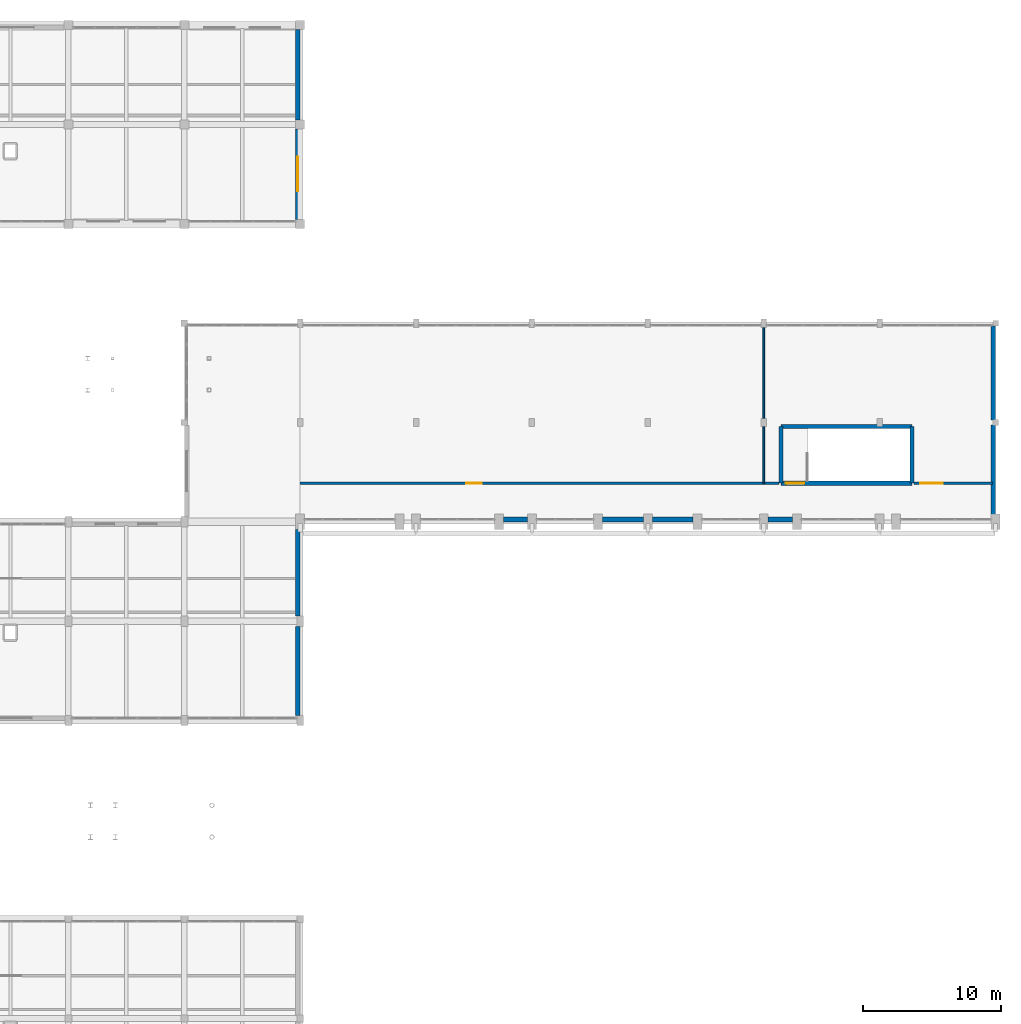
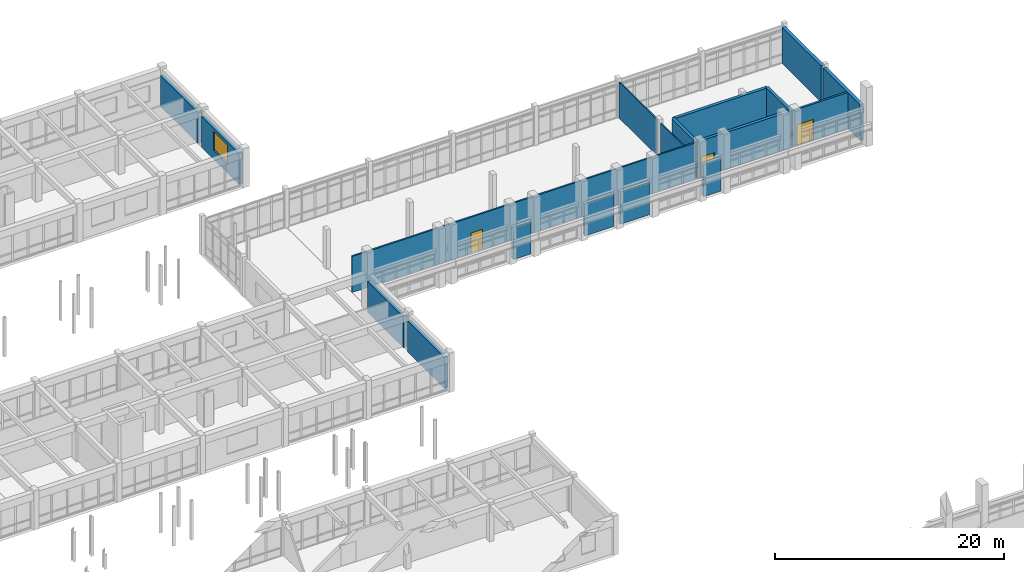
# One storey, part 137 of 147: 18 walls, 3 doors, 1 window, 4 openings.
"""IFC4 building model written with IfcOpenShell, lengths in metres."""

from ifc_helpers import new_model, si_unit, direction, frame, frame_2d, origin, place, context, subcontext, project, spatial, rectangle, extrude, material, layer, layer_set, type_object, element, fill, save


model = new_model("IFC4")

# Units and contexts
model_context = context("Model", 3, precision=1e-05, world=origin(), true_north=direction((0.0, 1.0)))
body_context = subcontext(model_context, "Body", "Model", "MODEL_VIEW")
ifc_project = project(units=[si_unit("LENGTHUNIT", "METRE"), si_unit("AREAUNIT", "SQUARE_METRE"), si_unit("VOLUMEUNIT", "CUBIC_METRE"), si_unit("PLANEANGLEUNIT", "RADIAN"), si_unit("MASSUNIT", "GRAM", prefix="KILO")], contexts=[model_context])

# Site, building, storey
site_placement = place(None, origin())
site = spatial("IfcSite", under=ifc_project, at=site_placement, CompositionType="ELEMENT")
building_placement = place(site_placement, origin())
building = spatial("IfcBuilding", under=site, at=building_placement, Name="Malvenik Polytechnic", CompositionType="ELEMENT")
storey_placement = place(building_placement, frame((0.0, 0.0, 5.10009765625)))
storey = spatial("IfcBuildingStorey", under=building, at=storey_placement, Name="L01", CompositionType="ELEMENT", Elevation=5.10009765625)

# Walls
ifc_material_1 = material(Name="Concrete C35/45", Category="concrete")
ifc_layer_1 = layer(ifc_material_1, 0.300048828125)
ifc_layer_set_1 = layer_set([ifc_layer_1], Name="Concrete C35/45")
wall_type_1 = type_object("IfcWallType", Name="ARC-CW-S300", PredefinedType="SHEAR", material=ifc_layer_set_1)
wall_1_placement = place(storey_placement, frame((169.25, 96.39990234375, 0.0), z_axis=(0.0, 0.0, 1.0), x_axis=(0.0, 1.0, 0.0)))
element("IfcWall", 1, at=wall_1_placement, inside=storey, type_object=wall_type_1, Name="Stair Core Shear Wall ST-12 L01 NEAR", PredefinedType="SHEAR", context=body_context, shape_type="SweptSolid", body=[
    extrude(rectangle(XDim=4.10009765625, YDim=0.300048828125, at=frame_2d((2.050048828125, 0.0))), origin(), (0.0, 0.0, 1.0), 3.919921875),
])
wall_2_placement = place(storey_placement, frame((169.25, 100.5, 0.0), z_axis=(0.0, 0.0, 1.0), x_axis=(1.0, 0.0, 0.0)))
element("IfcWall", 2, at=wall_2_placement, inside=storey, type_object=wall_type_1, Name="Stair Core Shear Wall ST-12 L01 RGHT", PredefinedType="SHEAR", context=body_context, shape_type="SweptSolid", body=[
    extrude(rectangle(XDim=9.5, YDim=0.300048828125, at=frame_2d((4.75, 0.0))), origin(), (0.0, 0.0, 1.0), 3.919921875),
])
wall_3_placement = place(storey_placement, frame((178.75, 100.5, 0.0), z_axis=(0.0, 0.0, 1.0), x_axis=(0.0, -1.0, 0.0)))
element("IfcWall", 3, at=wall_3_placement, inside=storey, type_object=wall_type_1, Name="Stair Core Shear Wall ST-12 L01 FAR", PredefinedType="SHEAR", context=body_context, shape_type="SweptSolid", body=[
    extrude(rectangle(XDim=4.10009765625, YDim=0.300048828125, at=frame_2d((2.050048828125, 0.0))), origin(), (0.0, 0.0, 1.0), 3.919921875),
])

# Wall, opening, door
wall_4_placement = place(storey_placement, frame((178.75, 96.39990234375, 0.0), z_axis=(0.0, 0.0, 1.0), x_axis=(-1.0, 0.0, 0.0)))
wall_4 = element("IfcWall", 4, at=wall_4_placement, inside=storey, type_object=wall_type_1, Name="Stair Core Shear Wall ST-12 L01 LEFT", PredefinedType="SHEAR", context=body_context, shape_type="SweptSolid", body=[
    extrude(rectangle(XDim=9.5, YDim=0.300048828125, at=frame_2d((4.75, 0.0))), origin(), (0.0, 0.0, 1.0), 3.919921875),
])
opening_1_placement = place(wall_4_placement, frame((7.800048828125, 0.0, 0.0)))
opening_1 = element("IfcOpeningElement", 5, at=opening_1_placement, cuts=wall_4, Name="Opening SD-01", PredefinedType="OPENING", context=body_context, shape_type="SweptSolid", body=[
    extrude(rectangle(XDim=1.35009765625, YDim=2.199951171875, at=frame_2d((0.675048828125, 1.10009765625))), frame((0.0, 0.16015625, 0.0), z_axis=(0.0, -1.0, 0.0), x_axis=(1.0, 0.0, 0.0)), (0.0, 0.0, 1.0), 0.320068359375),
])
ifc_material_2 = material(Name="Fire-rated steel stair enclosure door", Category="steel")
door_type_1 = type_object("IfcDoorType", Name="ARC-IDR-SD-01", OperationType="NOTDEFINED", PredefinedType="DOOR", material=ifc_material_2)
door_1_placement = place(opening_1_placement, origin())
door_1 = element("IfcDoor", 6, at=door_1_placement, inside=storey, type_object=door_type_1, Name="Fire Stair Door ST-12 L01", OperationType="SINGLE_SWING_RIGHT", OverallHeight=2.199951171875, OverallWidth=1.35009765625, PredefinedType="DOOR", context=body_context, shape_type="SweptSolid", body=[
    extrude(rectangle(XDim=1.35009765625, YDim=2.199951171875, at=frame_2d((0.675048828125, 1.10009765625))), frame((0.0, 0.02490234375, 0.0), z_axis=(0.0, -1.0, 0.0), x_axis=(1.0, 0.0, 0.0)), (0.0, 0.0, 1.0), 0.050048828125),
])
fill(opening_1, door_1)

# Wall
ifc_material_3 = material(Name="Concrete C30/37", Category="concrete")
ifc_layer_2 = layer(ifc_material_3, 0.340087890625)
ifc_layer_set_2 = layer_set([ifc_layer_2], Name="Concrete C30/37")
wall_type_2 = type_object("IfcWallType", Name="ARC-EW-340", PredefinedType="SOLIDWALL", material=ifc_layer_set_2)
wall_5_placement = place(storey_placement, frame((134.22998046875, 129.277099609375, 0.0), z_axis=(0.0, 0.0, 1.0), x_axis=(0.0, -1.0, 0.0)))
element("IfcWall", 7, at=wall_5_placement, inside=storey, type_object=wall_type_2, Name="External Facade Wall EW-02 L01 #198", PredefinedType="SOLIDWALL", context=body_context, shape_type="SweptSolid", body=[
    extrude(rectangle(XDim=6.55419921875, YDim=0.340087890625, at=frame_2d((3.277099609375, 0.0))), origin(), (0.0, 0.0, 1.0), 3.309814453125),
])

# Wall, opening, window
wall_6_placement = place(storey_placement, frame((134.22998046875, 122.076904296875, 0.0), z_axis=(0.0, 0.0, 1.0), x_axis=(0.0, -1.0, 0.0)))
wall_6 = element("IfcWall", 8, at=wall_6_placement, inside=storey, type_object=wall_type_2, Name="External Facade Wall EW-02 L01 #199", PredefinedType="SOLIDWALL", context=body_context, shape_type="SweptSolid", body=[
    extrude(rectangle(XDim=6.553955078125, YDim=0.340087890625, at=frame_2d((3.27685546875, 0.0))), origin(), (0.0, 0.0, 1.0), 3.309814453125),
])
opening_2_placement = place(wall_6_placement, frame((2.027099609375, 0.0, 0.949951171875)))
opening_2 = element("IfcOpeningElement", 9, at=opening_2_placement, cuts=wall_6, Name="Opening W-21", PredefinedType="OPENING", context=body_context, shape_type="SweptSolid", body=[
    extrude(rectangle(XDim=2.5, YDim=2.050048828125, at=frame_2d((1.25, 1.02490234375))), frame((0.0, 0.18017578125, 0.0), z_axis=(0.0, -1.0, 0.0), x_axis=(1.0, 0.0, 0.0)), (0.0, 0.0, 1.0), 0.360107421875),
])
ifc_material_4 = material(Name="Thermally broken aluminium frame with low-E double glazing", Category="aluminium")
window_type = type_object("IfcWindowType", Name="ARC-WIN-W-21", PartitioningType="SINGLE_PANEL", PredefinedType="WINDOW", material=ifc_material_4)
window_placement = place(opening_2_placement, origin())
window = element("IfcWindow", 10, at=window_placement, inside=storey, type_object=window_type, Name="Punched Window W-21 L01 #170", OverallHeight=2.050048828125, OverallWidth=2.5, PartitioningType="SINGLE_PANEL", PredefinedType="WINDOW", context=body_context, shape_type="SweptSolid", body=[
    extrude(rectangle(XDim=2.5, YDim=2.050048828125, at=frame_2d((1.25, 1.02490234375))), frame((0.0, 0.030029296875, 0.0), z_axis=(0.0, -1.0, 0.0), x_axis=(1.0, 0.0, 0.0)), (0.0, 0.0, 1.0), 0.06005859375),
])
fill(opening_2, window)

# Walls
wall_7_placement = place(storey_placement, frame((184.6298828125, 107.802001953125, 0.0), z_axis=(0.0, 0.0, 1.0), x_axis=(0.0, -1.0, 0.0)))
element("IfcWall", 11, at=wall_7_placement, inside=storey, type_object=wall_type_2, Name="External Facade Wall EW-02 L01 #205", PredefinedType="SOLIDWALL", context=body_context, shape_type="SweptSolid", body=[
    extrude(rectangle(XDim=6.803955078125, YDim=0.340087890625, at=frame_2d((3.40185546875, 0.0))), origin(), (0.0, 0.0, 1.0), 3.85986328125),
])
wall_8_placement = place(storey_placement, frame((184.6298828125, 100.60205078125, 0.0), z_axis=(0.0, 0.0, 1.0), x_axis=(0.0, -1.0, 0.0)))
element("IfcWall", 12, at=wall_8_placement, inside=storey, type_object=wall_type_2, Name="External Facade Wall EW-02 L01 #206", PredefinedType="SOLIDWALL", context=body_context, shape_type="SweptSolid", body=[
    extrude(rectangle(XDim=6.4541015625, YDim=0.340087890625, at=frame_2d((3.22705078125, 0.0))), origin(), (0.0, 0.0, 1.0), 3.85986328125),
])
wall_9_placement = place(storey_placement, frame((170.076904296875, 93.77001953125, 0.0), z_axis=(0.0, 0.0, 1.0), x_axis=(-1.0, 0.0, 0.0)))
element("IfcWall", 13, at=wall_9_placement, inside=storey, type_object=wall_type_2, Name="External Facade Wall EW-02 L01 #207", PredefinedType="SOLIDWALL", context=body_context, shape_type="SweptSolid", body=[
    extrude(rectangle(XDim=1.75390625, YDim=0.340087890625, at=frame_2d((0.876953125, 0.0))), origin(), (0.0, 0.0, 1.0), 3.447998046875),
])
wall_10_placement = place(storey_placement, frame((162.876953125, 93.77001953125, 0.0), z_axis=(0.0, 0.0, 1.0), x_axis=(-1.0, 0.0, 0.0)))
element("IfcWall", 14, at=wall_10_placement, inside=storey, type_object=wall_type_2, Name="External Facade Wall EW-02 L01 #208", PredefinedType="SOLIDWALL", context=body_context, shape_type="SweptSolid", body=[
    extrude(rectangle(XDim=2.953857421875, YDim=0.340087890625, at=frame_2d((1.47705078125, 0.0))), origin(), (0.0, 0.0, 1.0), 3.447998046875),
])
wall_11_placement = place(storey_placement, frame((159.277099609375, 93.77001953125, 0.0), z_axis=(0.0, 0.0, 1.0), x_axis=(-1.0, 0.0, 0.0)))
element("IfcWall", 15, at=wall_11_placement, inside=storey, type_object=wall_type_2, Name="External Facade Wall EW-02 L01 #209", PredefinedType="SOLIDWALL", context=body_context, shape_type="SweptSolid", body=[
    extrude(rectangle(XDim=2.9541015625, YDim=0.340087890625, at=frame_2d((1.47705078125, 0.0))), origin(), (0.0, 0.0, 1.0), 3.447998046875),
])
wall_12_placement = place(storey_placement, frame((150.876953125, 93.77001953125, 0.0), z_axis=(0.0, 0.0, 1.0), x_axis=(-1.0, 0.0, 0.0)))
element("IfcWall", 16, at=wall_12_placement, inside=storey, type_object=wall_type_2, Name="External Facade Wall EW-02 L01 #210", PredefinedType="SOLIDWALL", context=body_context, shape_type="SweptSolid", body=[
    extrude(rectangle(XDim=1.75390625, YDim=0.340087890625, at=frame_2d((0.876953125, 0.0))), origin(), (0.0, 0.0, 1.0), 3.447998046875),
])
wall_13_placement = place(storey_placement, frame((134.22998046875, 93.052001953125, 0.0), z_axis=(0.0, 0.0, 1.0), x_axis=(0.0, -1.0, 0.0)))
element("IfcWall", 17, at=wall_13_placement, inside=storey, type_object=wall_type_2, Name="External Facade Wall EW-02 L01 #211", PredefinedType="SOLIDWALL", context=body_context, shape_type="SweptSolid", body=[
    extrude(rectangle(XDim=6.279052734375, YDim=0.340087890625, at=frame_2d((3.1396484375, 0.0))), origin(), (0.0, 0.0, 1.0), 3.309814453125),
])
wall_14_placement = place(storey_placement, frame((134.22998046875, 86.027099609375, 0.0), z_axis=(0.0, 0.0, 1.0), x_axis=(0.0, -1.0, 0.0)))
element("IfcWall", 18, at=wall_14_placement, inside=storey, type_object=wall_type_2, Name="External Facade Wall EW-02 L01 #212", PredefinedType="SOLIDWALL", context=body_context, shape_type="SweptSolid", body=[
    extrude(rectangle(XDim=6.4541015625, YDim=0.340087890625, at=frame_2d((3.22705078125, 0.0))), origin(), (0.0, 0.0, 1.0), 3.309814453125),
])

# Wall, opening, door
ifc_material_5 = material(Name="Calcium silicate fire-rated blockwork 200mm", Category="masonry")
ifc_layer_3 = layer(ifc_material_5, 0.199951171875)
ifc_layer_set_3 = layer_set([ifc_layer_3], Name="Calcium silicate fire-rated blockwork 200mm")
wall_type_3 = type_object("IfcWallType", Name="ARC-FW-200", PredefinedType="SOLIDWALL", material=ifc_layer_set_3)
wall_15_placement = place(storey_placement, frame((178.889892578125, 96.39990234375, 0.0), z_axis=(0.0, 0.0, 1.0), x_axis=(1.0, 0.0, 0.0)))
wall_15 = element("IfcWall", 19, at=wall_15_placement, inside=storey, type_object=wall_type_3, Name="Interior Partition FW-02 L01 #226", PredefinedType="SOLIDWALL", context=body_context, shape_type="SweptSolid", body=[
    extrude(rectangle(XDim=5.690185546875, YDim=0.199951171875, at=frame_2d((2.84521484375, 0.0))), origin(), (0.0, 0.0, 1.0), 3.849853515625),
])
opening_3_placement = place(wall_15_placement, frame((0.449951171875, 0.0, 0.0)))
opening_3 = element("IfcOpeningElement", 20, at=opening_3_placement, cuts=wall_15, Name="Opening FD-03", PredefinedType="OPENING", context=body_context, shape_type="SweptSolid", body=[
    extrude(rectangle(XDim=1.64990234375, YDim=2.199951171875, at=frame_2d((0.824951171875, 1.10009765625))), frame((0.0, 0.10986328125, 0.0), z_axis=(0.0, -1.0, 0.0), x_axis=(1.0, 0.0, 0.0)), (0.0, 0.0, 1.0), 0.219970703125),
])
ifc_material_6 = material(Name="Fire-rated double-leaf laboratory door", Category="steel")
door_type_2 = type_object("IfcDoorType", Name="ARC-IDR-FD-03", OperationType="NOTDEFINED", PredefinedType="DOOR", material=ifc_material_6)
door_2_placement = place(opening_3_placement, origin())
door_2 = element("IfcDoor", 21, at=door_2_placement, inside=storey, type_object=door_type_2, Name="Interior Door FD-03 L01 #97", OperationType="DOUBLE_DOOR_SINGLE_SWING", OverallHeight=2.199951171875, OverallWidth=1.64990234375, PredefinedType="DOOR", context=body_context, shape_type="SweptSolid", body=[
    extrude(rectangle(XDim=1.64990234375, YDim=2.199951171875, at=frame_2d((0.824951171875, 1.10009765625))), frame((0.0, 0.02490234375, 0.0), z_axis=(0.0, -1.0, 0.0), x_axis=(1.0, 0.0, 0.0)), (0.0, 0.0, 1.0), 0.050048828125),
])
fill(opening_3, door_2)

# Walls
ifc_material_7 = material(Name="Lightweight gypsum partition 110mm", Category="gypsum")
ifc_layer_4 = layer(ifc_material_7, 0.110107421875)
ifc_layer_set_4 = layer_set([ifc_layer_4], Name="Lightweight gypsum partition 110mm")
wall_type_4 = type_object("IfcWallType", Name="ARC-PW-110", PredefinedType="PARTITIONING", material=ifc_layer_set_4)
wall_16_placement = place(storey_placement, frame((168.0, 96.39990234375, 0.0), z_axis=(0.0, 0.0, 1.0), x_axis=(0.0, 1.0, 0.0)))
element("IfcWall", 22, at=wall_16_placement, inside=storey, type_object=wall_type_4, Name="Interior Partition PW-04I L01 #227", PredefinedType="PARTITIONING", context=body_context, shape_type="SweptSolid", body=[
    extrude(rectangle(XDim=4.080078125, YDim=0.110107421875, at=frame_2d((2.0400390625, 0.0))), origin(), (0.0, 0.0, 1.0), 3.849853515625),
])
ifc_material_8 = material(Name="Acoustic metal-stud gypsum partition 140mm", Category="gypsum")
ifc_layer_5 = layer(ifc_material_8, 0.139892578125)
ifc_layer_set_5 = layer_set([ifc_layer_5], Name="Acoustic metal-stud gypsum partition 140mm")
wall_type_5 = type_object("IfcWallType", Name="ARC-PW-140", PredefinedType="PARTITIONING", material=ifc_layer_set_5)
wall_17_placement = place(storey_placement, frame((168.0, 101.1201171875, 0.0), z_axis=(0.0, 0.0, 1.0), x_axis=(0.0, 1.0, 0.0)))
element("IfcWall", 23, at=wall_17_placement, inside=storey, type_object=wall_type_5, Name="Interior Partition PW-02I L01 #228", PredefinedType="PARTITIONING", context=body_context, shape_type="SweptSolid", body=[
    extrude(rectangle(XDim=6.559814453125, YDim=0.139892578125, at=frame_2d((3.27978515625, 0.0))), origin(), (0.0, 0.0, 1.0), 3.849853515625),
])

# Wall, opening, door
ifc_material_9 = material(Name="Double-stud acoustic gypsum board partition 160mm", Category="gypsum")
ifc_layer_6 = layer(ifc_material_9, 0.159912109375)
ifc_layer_set_6 = layer_set([ifc_layer_6], Name="Double-stud acoustic gypsum board partition 160mm")
wall_type_6 = type_object("IfcWallType", Name="ARC-PW-160", PredefinedType="PARTITIONING", material=ifc_layer_set_6)
wall_18_placement = place(storey_placement, frame((134.39990234375, 96.39990234375, 0.0), z_axis=(0.0, 0.0, 1.0), x_axis=(1.0, 0.0, 0.0)))
wall_18 = element("IfcWall", 24, at=wall_18_placement, inside=storey, type_object=wall_type_6, Name="Interior Partition PW-01I L01 #225", PredefinedType="PARTITIONING", context=body_context, shape_type="SweptSolid", body=[
    extrude(rectangle(XDim=34.710205078125, YDim=0.159912109375, at=frame_2d((17.35498046875, 0.0))), origin(), (0.0, 0.0, 1.0), 3.849853515625),
])
opening_4_placement = place(wall_18_placement, frame((12.02490234375, 0.0, 0.0)))
opening_4 = element("IfcOpeningElement", 25, at=opening_4_placement, cuts=wall_18, Name="Opening FD-01", PredefinedType="OPENING", context=body_context, shape_type="SweptSolid", body=[
    extrude(rectangle(XDim=1.14990234375, YDim=2.14990234375, at=frame_2d((0.574951171875, 1.074951171875))), frame((0.0, 0.08984375, 0.0), z_axis=(0.0, -1.0, 0.0), x_axis=(1.0, 0.0, 0.0)), (0.0, 0.0, 1.0), 0.179931640625),
])
ifc_material_10 = material(Name="Fire-rated timber acoustic corridor door", Category="wood")
door_type_3 = type_object("IfcDoorType", Name="ARC-IDR-FD-01", OperationType="NOTDEFINED", PredefinedType="DOOR", material=ifc_material_10)
door_3_placement = place(opening_4_placement, origin())
door_3 = element("IfcDoor", 26, at=door_3_placement, inside=storey, type_object=door_type_3, Name="Interior Door FD-01 L01 #96", OperationType="SINGLE_SWING_LEFT", OverallHeight=2.14990234375, OverallWidth=1.14990234375, PredefinedType="DOOR", context=body_context, shape_type="SweptSolid", body=[
    extrude(rectangle(XDim=1.14990234375, YDim=2.14990234375, at=frame_2d((0.574951171875, 1.074951171875))), frame((0.0, 0.02490234375, 0.0), z_axis=(0.0, -1.0, 0.0), x_axis=(1.0, 0.0, 0.0)), (0.0, 0.0, 1.0), 0.050048828125),
])
fill(opening_4, door_3)

save(model, "model.ifc")
